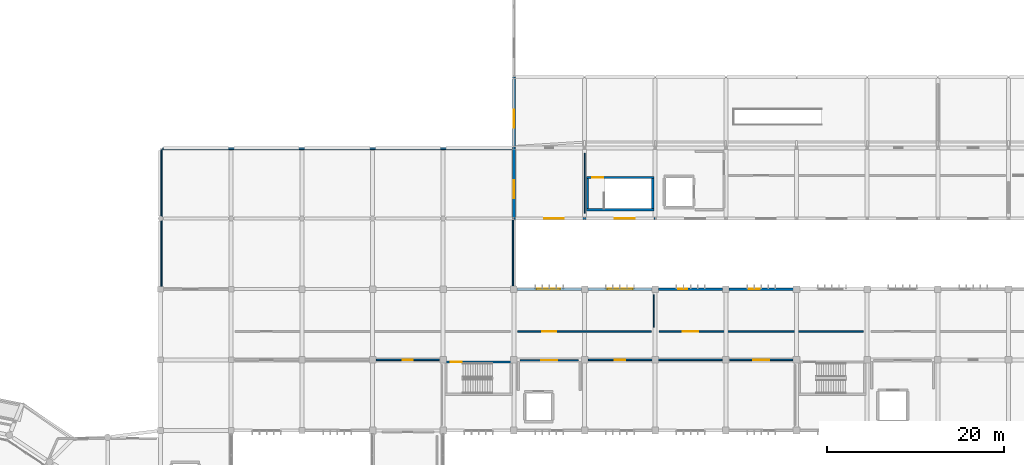
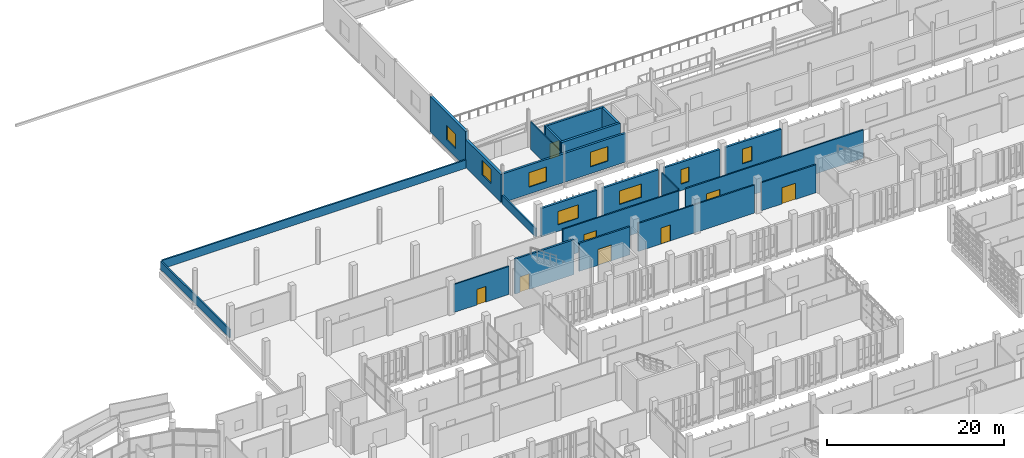
# One storey, part 84 of 106: 24 walls, 8 doors, 8 windows, 16 openings.
"""IFC4 building model written with IfcOpenShell, lengths in metres."""

from ifc_helpers import new_model, si_unit, direction, frame, frame_2d, origin, place, context, subcontext, project, spatial, rectangle, extrude, material, layer, layer_set, type_object, element, fill, save


model = new_model("IFC4")

# Units and contexts
model_context = context("Model", 3, precision=1e-05, world=origin(), true_north=direction((0.0, 1.0)))
body_context = subcontext(model_context, "Body", "Model", "MODEL_VIEW")
ifc_project = project(units=[si_unit("LENGTHUNIT", "METRE"), si_unit("AREAUNIT", "SQUARE_METRE"), si_unit("VOLUMEUNIT", "CUBIC_METRE"), si_unit("PLANEANGLEUNIT", "RADIAN"), si_unit("MASSUNIT", "GRAM", prefix="KILO")], contexts=[model_context])

# Site, building, storey
site_placement = place(None, origin())
site = spatial("IfcSite", under=ifc_project, at=site_placement, CompositionType="ELEMENT")
building_placement = place(site_placement, origin())
building = spatial("IfcBuilding", under=site, at=building_placement, Name="Jelvoka-Kovrelna Polytechnic", CompositionType="ELEMENT")
storey_placement = place(building_placement, frame((0.0, 0.0, 4.800048828125)))
storey = spatial("IfcBuildingStorey", under=building, at=storey_placement, Name="L02", CompositionType="ELEMENT", Elevation=4.800048828125)

# Wall, opening, door
ifc_material_1 = material(Name="Concrete C35/45", Category="concrete")
ifc_layer_1 = layer(ifc_material_1, 0.219970703125)
ifc_layer_set_1 = layer_set([ifc_layer_1], Name="Concrete C35/45")
wall_type_1 = type_object("IfcWallType", Name="Wall_Compartment_220", PredefinedType="PARTITIONING", material=ifc_layer_set_1)
wall_1_placement = place(storey_placement, frame((88.699951171875, 63.949951171875, 0.0), z_axis=(0.0, 0.0, 1.0), x_axis=(1.0, 0.0, 0.0)))
wall_1 = element("IfcWall", 1, at=wall_1_placement, inside=storey, type_object=wall_type_1, Name="L02 interior wall 0275", PredefinedType="PARTITIONING", context=body_context, shape_type="SweptSolid", body=[
    extrude(rectangle(XDim=6.60009765625, YDim=0.219970703125, at=frame_2d((3.300048828125, 0.0))), origin(), (0.0, 0.0, 1.0), 3.85986328125),
])
opening_1_placement = place(wall_1_placement, frame((2.39990234375, 0.0, 0.0)))
opening_1 = element("IfcOpeningElement", 2, at=opening_1_placement, cuts=wall_1, Name="Opening FD-L02-066", PredefinedType="OPENING", context=body_context, shape_type="SweptSolid", body=[
    extrude(rectangle(XDim=1.800048828125, YDim=2.199951171875, at=frame_2d((0.89990234375, 1.10009765625))), frame((0.0, 0.119873046875, 0.0), z_axis=(0.0, -1.0, 0.0), x_axis=(1.0, 0.0, 0.0)), (0.0, 0.0, 1.0), 0.239990234375),
])
ifc_material_2 = material(Name="Paired steel corridor fire door", Category="steel")
door_type_1 = type_object("IfcDoorType", Name="Door_Fire_FD03", OperationType="NOTDEFINED", PredefinedType="DOOR", material=ifc_material_2)
door_1_placement = place(opening_1_placement, origin())
door_1 = element("IfcDoor", 3, at=door_1_placement, inside=storey, type_object=door_type_1, Name="L02 interior door FD-L02-066", OperationType="DOUBLE_DOOR_SINGLE_SWING", OverallHeight=2.199951171875, OverallWidth=1.800048828125, PredefinedType="DOOR", context=body_context, shape_type="SweptSolid", body=[
    extrude(rectangle(XDim=1.800048828125, YDim=2.199951171875, at=frame_2d((0.89990234375, 1.10009765625))), frame((0.0, 0.02490234375, 0.0), z_axis=(0.0, -1.0, 0.0), x_axis=(1.0, 0.0, 0.0)), (0.0, 0.0, 1.0), 0.050048828125),
])
fill(opening_1, door_1)

ifc_material_3 = material(Name="Concrete C40/50", Category="concrete")
ifc_layer_2 = layer(ifc_material_3, 0.25)
ifc_layer_set_2 = layer_set([ifc_layer_2], Name="Concrete C40/50")
wall_type_2 = type_object("IfcWallType", Name="Wall_Core_250", PredefinedType="SOLIDWALL", material=ifc_layer_set_2)
wall_2_placement = place(storey_placement, frame((96.199951171875, 84.639892578125, 0.0), z_axis=(0.0, 0.0, 1.0), x_axis=(1.0, 0.0, 0.0)))
wall_2 = element("IfcWall", 4, at=wall_2_placement, inside=storey, type_object=wall_type_2, Name="L02 interior wall 0007", PredefinedType="SOLIDWALL", context=body_context, shape_type="SweptSolid", body=[
    extrude(rectangle(XDim=7.650146484375, YDim=0.25, at=frame_2d((3.8251953125, 0.0))), origin(), (0.0, 0.0, 1.0), 4.800048828125),
])
opening_2_placement = place(wall_2_placement, frame((0.64990234375, 0.0, 0.0)))
opening_2 = element("IfcOpeningElement", 5, at=opening_2_placement, cuts=wall_2, Name="Opening SD-L02-002", PredefinedType="OPENING", context=body_context, shape_type="SweptSolid", body=[
    extrude(rectangle(XDim=1.25, YDim=2.14990234375, at=frame_2d((0.625, 1.074951171875))), frame((0.0, 0.135009765625, 0.0), z_axis=(0.0, -1.0, 0.0), x_axis=(1.0, 0.0, 0.0)), (0.0, 0.0, 1.0), 0.27001953125),
])
ifc_material_4 = material(Name="Powder-coated steel fire door", Category="steel")
door_type_2 = type_object("IfcDoorType", Name="Door_Fire_FD02", OperationType="NOTDEFINED", PredefinedType="DOOR", material=ifc_material_4)
door_2_placement = place(opening_2_placement, origin())
door_2 = element("IfcDoor", 6, at=door_2_placement, inside=storey, type_object=door_type_2, Name="L02 interior door SD-L02-002", OperationType="SINGLE_SWING_LEFT", OverallHeight=2.14990234375, OverallWidth=1.25, PredefinedType="DOOR", context=body_context, shape_type="SweptSolid", body=[
    extrude(rectangle(XDim=1.25, YDim=2.14990234375, at=frame_2d((0.625, 1.074951171875))), frame((0.0, 0.02490234375, 0.0), z_axis=(0.0, -1.0, 0.0), x_axis=(1.0, 0.0, 0.0)), (0.0, 0.0, 1.0), 0.050048828125),
])
fill(opening_2, door_2)

# Wall
wall_3_placement = place(storey_placement, frame((96.324951171875, 81.14990234375, 0.0), z_axis=(0.0, 0.0, 1.0), x_axis=(0.0, 1.0, 0.0)))
element("IfcWall", 7, at=wall_3_placement, inside=storey, type_object=wall_type_2, Name="L02 interior wall 0008", PredefinedType="SOLIDWALL", context=body_context, shape_type="SweptSolid", body=[
    extrude(rectangle(XDim=3.360107421875, YDim=0.25, at=frame_2d((1.68017578125, 0.0))), origin(), (0.0, 0.0, 1.0), 4.800048828125),
])

# Wall, opening, door
wall_4_placement = place(storey_placement, frame((80.199951171875, 63.739990234375, 0.0), z_axis=(0.0, 0.0, 1.0), x_axis=(1.0, 0.0, 0.0)))
wall_4 = element("IfcWall", 8, at=wall_4_placement, inside=storey, type_object=wall_type_2, Name="L02 interior wall 0155", PredefinedType="SOLIDWALL", context=body_context, shape_type="SweptSolid", body=[
    extrude(rectangle(XDim=7.650146484375, YDim=0.25, at=frame_2d((3.8251953125, 0.0))), origin(), (0.0, 0.0, 1.0), 4.800048828125),
])
opening_3_placement = place(wall_4_placement, frame((0.64990234375, 0.0, 0.0)))
opening_3 = element("IfcOpeningElement", 9, at=opening_3_placement, cuts=wall_4, Name="Opening SD-L02-039", PredefinedType="OPENING", context=body_context, shape_type="SweptSolid", body=[
    extrude(rectangle(XDim=1.25, YDim=2.14990234375, at=frame_2d((0.625, 1.074951171875))), frame((0.0, 0.135009765625, 0.0), z_axis=(0.0, -1.0, 0.0), x_axis=(1.0, 0.0, 0.0)), (0.0, 0.0, 1.0), 0.27001953125),
])
door_3_placement = place(opening_3_placement, origin())
door_3 = element("IfcDoor", 10, at=door_3_placement, inside=storey, type_object=door_type_2, Name="L02 interior door SD-L02-039", OperationType="SINGLE_SWING_LEFT", OverallHeight=2.14990234375, OverallWidth=1.25, PredefinedType="DOOR", context=body_context, shape_type="SweptSolid", body=[
    extrude(rectangle(XDim=1.25, YDim=2.14990234375, at=frame_2d((0.625, 1.074951171875))), frame((0.0, 0.02490234375, 0.0), z_axis=(0.0, -1.0, 0.0), x_axis=(1.0, 0.0, 0.0)), (0.0, 0.0, 1.0), 0.050048828125),
])
fill(opening_3, door_3)

ifc_material_5 = material(Name="Autoclaved aerated concrete blockwork", Category="masonry")
ifc_layer_3 = layer(ifc_material_5, 0.179931640625)
ifc_layer_set_3 = layer_set([ifc_layer_3], Name="Autoclaved aerated concrete blockwork")
wall_type_3 = type_object("IfcWallType", Name="Wall_Corridor_180", PredefinedType="PARTITIONING", material=ifc_layer_set_3)
wall_5_placement = place(storey_placement, frame((72.429931640625, 64.0, 0.0), z_axis=(0.0, 0.0, 1.0), x_axis=(1.0, 0.0, 0.0)))
wall_5 = element("IfcWall", 11, at=wall_5_placement, inside=storey, type_object=wall_type_3, Name="L02 interior wall 0976", PredefinedType="PARTITIONING", context=body_context, shape_type="SweptSolid", body=[
    extrude(rectangle(XDim=7.14013671875, YDim=0.179931640625, at=frame_2d((3.570068359375, 0.0))), origin(), (0.0, 0.0, 1.0), 3.85986328125),
])
opening_4_placement = place(wall_5_placement, frame((3.0, 0.0, 0.0)))
opening_4 = element("IfcOpeningElement", 12, at=opening_4_placement, cuts=wall_5, Name="Opening D-L02-243", PredefinedType="OPENING", context=body_context, shape_type="SweptSolid", body=[
    extrude(rectangle(XDim=1.139892578125, YDim=2.14990234375, at=frame_2d((0.56982421875, 1.074951171875))), frame((0.0, 0.099853515625, 0.0), z_axis=(0.0, -1.0, 0.0), x_axis=(1.0, 0.0, 0.0)), (0.0, 0.0, 1.0), 0.199951171875),
])
ifc_material_6 = material(Name="Laboratory vision-panel door", Category="wood")
door_type_3 = type_object("IfcDoorType", Name="Door_Int_D11", OperationType="NOTDEFINED", PredefinedType="DOOR", material=ifc_material_6)
door_4_placement = place(opening_4_placement, origin())
door_4 = element("IfcDoor", 13, at=door_4_placement, inside=storey, type_object=door_type_3, Name="L02 interior door D-L02-243", OperationType="SINGLE_SWING_LEFT", OverallHeight=2.14990234375, OverallWidth=1.139892578125, PredefinedType="DOOR", context=body_context, shape_type="SweptSolid", body=[
    extrude(rectangle(XDim=1.139892578125, YDim=2.14990234375, at=frame_2d((0.56982421875, 1.074951171875))), frame((0.0, 0.02490234375, 0.0), z_axis=(0.0, -1.0, 0.0), x_axis=(1.0, 0.0, 0.0)), (0.0, 0.0, 1.0), 0.050048828125),
])
fill(opening_4, door_4)

wall_6_placement = place(storey_placement, frame((96.429931640625, 64.0, 0.0), z_axis=(0.0, 0.0, 1.0), x_axis=(1.0, 0.0, 0.0)))
wall_6 = element("IfcWall", 14, at=wall_6_placement, inside=storey, type_object=wall_type_3, Name="L02 interior wall 0978", PredefinedType="PARTITIONING", context=body_context, shape_type="SweptSolid", body=[
    extrude(rectangle(XDim=15.14013671875, YDim=0.179931640625, at=frame_2d((7.570068359375, 0.0))), origin(), (0.0, 0.0, 1.0), 3.85986328125),
])
opening_5_placement = place(wall_6_placement, frame((2.969970703125, 0.0, 0.0)))
opening_5 = element("IfcOpeningElement", 15, at=opening_5_placement, cuts=wall_6, Name="Opening D-L02-244", PredefinedType="OPENING", context=body_context, shape_type="SweptSolid", body=[
    extrude(rectangle(XDim=1.199951171875, YDim=2.199951171875, at=frame_2d((0.60009765625, 1.10009765625))), frame((0.0, 0.099853515625, 0.0), z_axis=(0.0, -1.0, 0.0), x_axis=(1.0, 0.0, 0.0)), (0.0, 0.0, 1.0), 0.199951171875),
])
ifc_material_7 = material(Name="Laboratory vision-panel door", Category="wood")
door_type_4 = type_object("IfcDoorType", Name="Door_Int_D13", OperationType="NOTDEFINED", PredefinedType="DOOR", material=ifc_material_7)
door_5_placement = place(opening_5_placement, origin())
door_5 = element("IfcDoor", 16, at=door_5_placement, inside=storey, type_object=door_type_4, Name="L02 interior door D-L02-244", OperationType="SINGLE_SWING_RIGHT", OverallHeight=2.199951171875, OverallWidth=1.199951171875, PredefinedType="DOOR", context=body_context, shape_type="SweptSolid", body=[
    extrude(rectangle(XDim=1.199951171875, YDim=2.199951171875, at=frame_2d((0.60009765625, 1.10009765625))), frame((0.0, 0.02490234375, 0.0), z_axis=(0.0, -1.0, 0.0), x_axis=(1.0, 0.0, 0.0)), (0.0, 0.0, 1.0), 0.050048828125),
])
fill(opening_5, door_5)

wall_7_placement = place(storey_placement, frame((112.429931640625, 64.0, 0.0), z_axis=(0.0, 0.0, 1.0), x_axis=(1.0, 0.0, 0.0)))
wall_7 = element("IfcWall", 17, at=wall_7_placement, inside=storey, type_object=wall_type_3, Name="L02 interior wall 0979", PredefinedType="PARTITIONING", context=body_context, shape_type="SweptSolid", body=[
    extrude(rectangle(XDim=7.14013671875, YDim=0.179931640625, at=frame_2d((3.570068359375, 0.0))), origin(), (0.0, 0.0, 1.0), 3.85986328125),
])
opening_6_placement = place(wall_7_placement, frame((2.659912109375, 0.0, 0.0)))
opening_6 = element("IfcOpeningElement", 18, at=opening_6_placement, cuts=wall_7, Name="Opening D-L02-245", PredefinedType="OPENING", context=body_context, shape_type="SweptSolid", body=[
    extrude(rectangle(XDim=1.820068359375, YDim=2.25, at=frame_2d((0.91015625, 1.125))), frame((0.0, 0.099853515625, 0.0), z_axis=(0.0, -1.0, 0.0), x_axis=(1.0, 0.0, 0.0)), (0.0, 0.0, 1.0), 0.199951171875),
])
ifc_material_8 = material(Name="Paired hardwood fire-resisting assembly door", Category="wood")
door_type_5 = type_object("IfcDoorType", Name="Door_Fire_FD30_10", OperationType="NOTDEFINED", PredefinedType="DOOR", material=ifc_material_8)
door_6_placement = place(opening_6_placement, origin())
door_6 = element("IfcDoor", 19, at=door_6_placement, inside=storey, type_object=door_type_5, Name="L02 interior door D-L02-245", OperationType="DOUBLE_DOOR_SINGLE_SWING", OverallHeight=2.25, OverallWidth=1.820068359375, PredefinedType="DOOR", context=body_context, shape_type="SweptSolid", body=[
    extrude(rectangle(XDim=1.820068359375, YDim=2.25, at=frame_2d((0.91015625, 1.125))), frame((0.0, 0.02490234375, 0.0), z_axis=(0.0, -1.0, 0.0), x_axis=(1.0, 0.0, 0.0)), (0.0, 0.0, 1.0), 0.050048828125),
])
fill(opening_6, door_6)

wall_8_placement = place(storey_placement, frame((88.429931640625, 67.199951171875, 0.0), z_axis=(0.0, 0.0, 1.0), x_axis=(1.0, 0.0, 0.0)))
wall_8 = element("IfcWall", 20, at=wall_8_placement, inside=storey, type_object=wall_type_3, Name="L02 interior wall 0984", PredefinedType="PARTITIONING", context=body_context, shape_type="SweptSolid", body=[
    extrude(rectangle(XDim=15.14013671875, YDim=0.179931640625, at=frame_2d((7.570068359375, 0.0))), origin(), (0.0, 0.0, 1.0), 3.89990234375),
])
opening_7_placement = place(wall_8_placement, frame((2.760009765625, 0.0, 0.0)))
opening_7 = element("IfcOpeningElement", 21, at=opening_7_placement, cuts=wall_8, Name="Opening D-L02-249", PredefinedType="OPENING", context=body_context, shape_type="SweptSolid", body=[
    extrude(rectangle(XDim=1.6201171875, YDim=2.199951171875, at=frame_2d((0.81005859375, 1.10009765625))), frame((0.0, 0.099853515625, 0.0), z_axis=(0.0, -1.0, 0.0), x_axis=(1.0, 0.0, 0.0)), (0.0, 0.0, 1.0), 0.199951171875),
])
ifc_material_9 = material(Name="Paired library reading hall door", Category="wood")
door_type_6 = type_object("IfcDoorType", Name="Door_Int_D19", OperationType="NOTDEFINED", PredefinedType="DOOR", material=ifc_material_9)
door_7_placement = place(opening_7_placement, origin())
door_7 = element("IfcDoor", 22, at=door_7_placement, inside=storey, type_object=door_type_6, Name="L02 interior door D-L02-249", OperationType="DOUBLE_DOOR_SINGLE_SWING", OverallHeight=2.199951171875, OverallWidth=1.6201171875, PredefinedType="DOOR", context=body_context, shape_type="SweptSolid", body=[
    extrude(rectangle(XDim=1.6201171875, YDim=2.199951171875, at=frame_2d((0.81005859375, 1.10009765625))), frame((0.0, 0.02490234375, 0.0), z_axis=(0.0, -1.0, 0.0), x_axis=(1.0, 0.0, 0.0)), (0.0, 0.0, 1.0), 0.050048828125),
])
fill(opening_7, door_7)

wall_9_placement = place(storey_placement, frame((104.429931640625, 67.199951171875, 0.0), z_axis=(0.0, 0.0, 1.0), x_axis=(1.0, 0.0, 0.0)))
wall_9 = element("IfcWall", 23, at=wall_9_placement, inside=storey, type_object=wall_type_3, Name="L02 interior wall 0986", PredefinedType="PARTITIONING", context=body_context, shape_type="SweptSolid", body=[
    extrude(rectangle(XDim=23.14013671875, YDim=0.179931640625, at=frame_2d((11.570068359375, 0.0))), origin(), (0.0, 0.0, 1.0), 3.89990234375),
])
opening_8_placement = place(wall_9_placement, frame((2.68994140625, 0.0, 0.0)))
opening_8 = element("IfcOpeningElement", 24, at=opening_8_placement, cuts=wall_9, Name="Opening D-L02-250", PredefinedType="OPENING", context=body_context, shape_type="SweptSolid", body=[
    extrude(rectangle(XDim=1.760009765625, YDim=2.25, at=frame_2d((0.8798828125, 1.125))), frame((0.0, 0.099853515625, 0.0), z_axis=(0.0, -1.0, 0.0), x_axis=(1.0, 0.0, 0.0)), (0.0, 0.0, 1.0), 0.199951171875),
])
ifc_material_10 = material(Name="Paired refectory hall double door", Category="wood")
door_type_7 = type_object("IfcDoorType", Name="Door_Int_D21", OperationType="NOTDEFINED", PredefinedType="DOOR", material=ifc_material_10)
door_8_placement = place(opening_8_placement, origin())
door_8 = element("IfcDoor", 25, at=door_8_placement, inside=storey, type_object=door_type_7, Name="L02 interior door D-L02-250", OperationType="DOUBLE_DOOR_SINGLE_SWING", OverallHeight=2.25, OverallWidth=1.760009765625, PredefinedType="DOOR", context=body_context, shape_type="SweptSolid", body=[
    extrude(rectangle(XDim=1.760009765625, YDim=2.25, at=frame_2d((0.8798828125, 1.125))), frame((0.0, 0.02490234375, 0.0), z_axis=(0.0, -1.0, 0.0), x_axis=(1.0, 0.0, 0.0)), (0.0, 0.0, 1.0), 0.050048828125),
])
fill(opening_8, door_8)

# Wall, opening, window
ifc_material_11 = material(Name="Precast concrete C40/50", Category="concrete")
ifc_layer_4 = layer(ifc_material_11, 0.280029296875)
ifc_layer_set_4 = layer_set([ifc_layer_4], Name="Precast concrete C40/50")
wall_type_4 = type_object("IfcWallType", Name="Wall_Ext_White_280", PredefinedType="STANDARD", material=ifc_layer_set_4)
wall_10_placement = place(storey_placement, frame((88.3720703125, 72.0, 0.0), z_axis=(0.0, 0.0, 1.0), x_axis=(1.0, 0.0, 0.0)))
wall_10 = element("IfcWall", 26, at=wall_10_placement, inside=storey, type_object=wall_type_4, Name="L02 exterior wall 0611", PredefinedType="STANDARD", context=body_context, shape_type="SweptSolid", body=[
    extrude(rectangle(XDim=7.255859375, YDim=0.280029296875, at=frame_2d((3.6279296875, 0.0))), origin(), (0.0, 0.0, 1.0), 3.909912109375),
])
opening_9_placement = place(wall_10_placement, frame((2.2080078125, 0.0, 0.89990234375)))
opening_9 = element("IfcOpeningElement", 27, at=opening_9_placement, cuts=wall_10, Name="Opening W-L02-285", PredefinedType="OPENING", context=body_context, shape_type="SweptSolid", body=[
    extrude(rectangle(XDim=2.64990234375, YDim=1.85009765625, at=frame_2d((1.324951171875, 0.925048828125))), frame((0.0, 0.150146484375, 0.0), z_axis=(0.0, -1.0, 0.0), x_axis=(1.0, 0.0, 0.0)), (0.0, 0.0, 1.0), 0.300048828125),
])
ifc_material_12 = material(Name="Thermally broken anodised aluminium and low-e glazing", Category="aluminium")
window_type_1 = type_object("IfcWindowType", Name="Win_Casement_W49", PartitioningType="DOUBLE_PANEL_VERTICAL", PredefinedType="WINDOW", material=ifc_material_12)
window_1_placement = place(opening_9_placement, origin())
window_1 = element("IfcWindow", 28, at=window_1_placement, inside=storey, type_object=window_type_1, Name="L02 aluminium casement window W-L02-285", OverallHeight=1.85009765625, OverallWidth=2.64990234375, PartitioningType="DOUBLE_PANEL_VERTICAL", PredefinedType="WINDOW", context=body_context, shape_type="SweptSolid", body=[
    extrude(rectangle(XDim=2.64990234375, YDim=1.85009765625, at=frame_2d((1.324951171875, 0.925048828125))), frame((0.0, 0.030029296875, 0.0), z_axis=(0.0, -1.0, 0.0), x_axis=(1.0, 0.0, 0.0)), (0.0, 0.0, 1.0), 0.06005859375),
])
fill(opening_9, window_1)

wall_11_placement = place(storey_placement, frame((96.3720703125, 72.0, 0.0), z_axis=(0.0, 0.0, 1.0), x_axis=(1.0, 0.0, 0.0)))
wall_11 = element("IfcWall", 29, at=wall_11_placement, inside=storey, type_object=wall_type_4, Name="L02 exterior wall 0613", PredefinedType="STANDARD", context=body_context, shape_type="SweptSolid", body=[
    extrude(rectangle(XDim=7.255859375, YDim=0.280029296875, at=frame_2d((3.6279296875, 0.0))), origin(), (0.0, 0.0, 1.0), 3.909912109375),
])
opening_10_placement = place(wall_11_placement, frame((2.2080078125, 0.0, 0.89990234375)))
opening_10 = element("IfcOpeningElement", 30, at=opening_10_placement, cuts=wall_11, Name="Opening W-L02-287", PredefinedType="OPENING", context=body_context, shape_type="SweptSolid", body=[
    extrude(rectangle(XDim=2.85009765625, YDim=1.85009765625, at=frame_2d((1.425048828125, 0.925048828125))), frame((0.0, 0.150146484375, 0.0), z_axis=(0.0, -1.0, 0.0), x_axis=(1.0, 0.0, 0.0)), (0.0, 0.0, 1.0), 0.300048828125),
])
ifc_material_13 = material(Name="Thermally broken anodised aluminium and low-e glazing", Category="aluminium")
window_type_2 = type_object("IfcWindowType", Name="Win_Casement_W50", PartitioningType="DOUBLE_PANEL_VERTICAL", PredefinedType="WINDOW", material=ifc_material_13)
window_2_placement = place(opening_10_placement, origin())
window_2 = element("IfcWindow", 31, at=window_2_placement, inside=storey, type_object=window_type_2, Name="L02 aluminium casement window W-L02-287", OverallHeight=1.85009765625, OverallWidth=2.85009765625, PartitioningType="DOUBLE_PANEL_VERTICAL", PredefinedType="WINDOW", context=body_context, shape_type="SweptSolid", body=[
    extrude(rectangle(XDim=2.85009765625, YDim=1.85009765625, at=frame_2d((1.425048828125, 0.925048828125))), frame((0.0, 0.030029296875, 0.0), z_axis=(0.0, -1.0, 0.0), x_axis=(1.0, 0.0, 0.0)), (0.0, 0.0, 1.0), 0.06005859375),
])
fill(opening_10, window_2)

wall_12_placement = place(storey_placement, frame((104.3720703125, 72.0, 0.0), z_axis=(0.0, 0.0, 1.0), x_axis=(1.0, 0.0, 0.0)))
wall_12 = element("IfcWall", 32, at=wall_12_placement, inside=storey, type_object=wall_type_4, Name="L02 exterior wall 0615", PredefinedType="STANDARD", context=body_context, shape_type="SweptSolid", body=[
    extrude(rectangle(XDim=7.255859375, YDim=0.280029296875, at=frame_2d((3.6279296875, 0.0))), origin(), (0.0, 0.0, 1.0), 3.909912109375),
])
opening_11_placement = place(wall_12_placement, frame((2.2080078125, 0.0, 0.89990234375)))
opening_11 = element("IfcOpeningElement", 33, at=opening_11_placement, cuts=wall_12, Name="Opening W-L02-289", PredefinedType="OPENING", context=body_context, shape_type="SweptSolid", body=[
    extrude(rectangle(XDim=1.050048828125, YDim=2.0, at=frame_2d((0.52490234375, 1.0))), frame((0.0, 0.150146484375, 0.0), z_axis=(0.0, -1.0, 0.0), x_axis=(1.0, 0.0, 0.0)), (0.0, 0.0, 1.0), 0.300048828125),
])
ifc_material_14 = material(Name="Thermally broken anodised aluminium and low-e glazing", Category="aluminium")
window_type_3 = type_object("IfcWindowType", Name="Win_Casement_W51", PartitioningType="SINGLE_PANEL", PredefinedType="WINDOW", material=ifc_material_14)
window_3_placement = place(opening_11_placement, origin())
window_3 = element("IfcWindow", 34, at=window_3_placement, inside=storey, type_object=window_type_3, Name="L02 aluminium casement window W-L02-289", OverallHeight=2.0, OverallWidth=1.050048828125, PartitioningType="SINGLE_PANEL", PredefinedType="WINDOW", context=body_context, shape_type="SweptSolid", body=[
    extrude(rectangle(XDim=1.050048828125, YDim=2.0, at=frame_2d((0.52490234375, 1.0))), frame((0.0, 0.030029296875, 0.0), z_axis=(0.0, -1.0, 0.0), x_axis=(1.0, 0.0, 0.0)), (0.0, 0.0, 1.0), 0.06005859375),
])
fill(opening_11, window_3)

wall_13_placement = place(storey_placement, frame((112.3720703125, 72.0, 0.0), z_axis=(0.0, 0.0, 1.0), x_axis=(1.0, 0.0, 0.0)))
wall_13 = element("IfcWall", 35, at=wall_13_placement, inside=storey, type_object=wall_type_4, Name="L02 exterior wall 0617", PredefinedType="STANDARD", context=body_context, shape_type="SweptSolid", body=[
    extrude(rectangle(XDim=7.255859375, YDim=0.280029296875, at=frame_2d((3.6279296875, 0.0))), origin(), (0.0, 0.0, 1.0), 3.909912109375),
])
opening_12_placement = place(wall_13_placement, frame((2.2080078125, 0.0, 0.89990234375)))
opening_12 = element("IfcOpeningElement", 36, at=opening_12_placement, cuts=wall_13, Name="Opening W-L02-291", PredefinedType="OPENING", context=body_context, shape_type="SweptSolid", body=[
    extrude(rectangle(XDim=1.25, YDim=2.0, at=frame_2d((0.625, 1.0))), frame((0.0, 0.150146484375, 0.0), z_axis=(0.0, -1.0, 0.0), x_axis=(1.0, 0.0, 0.0)), (0.0, 0.0, 1.0), 0.300048828125),
])
ifc_material_15 = material(Name="Thermally broken anodised aluminium and low-e glazing", Category="aluminium")
window_type_4 = type_object("IfcWindowType", Name="Win_Casement_W52", PartitioningType="SINGLE_PANEL", PredefinedType="WINDOW", material=ifc_material_15)
window_4_placement = place(opening_12_placement, origin())
window_4 = element("IfcWindow", 37, at=window_4_placement, inside=storey, type_object=window_type_4, Name="L02 aluminium casement window W-L02-291", OverallHeight=2.0, OverallWidth=1.25, PartitioningType="SINGLE_PANEL", PredefinedType="WINDOW", context=body_context, shape_type="SweptSolid", body=[
    extrude(rectangle(XDim=1.25, YDim=2.0, at=frame_2d((0.625, 1.0))), frame((0.0, 0.030029296875, 0.0), z_axis=(0.0, -1.0, 0.0), x_axis=(1.0, 0.0, 0.0)), (0.0, 0.0, 1.0), 0.06005859375),
])
fill(opening_12, window_4)

wall_14_placement = place(storey_placement, frame((95.99609375, 80.0, 0.0), z_axis=(0.0, 0.0, 1.0), x_axis=(-1.0, 0.0, 0.0)))
wall_14 = element("IfcWall", 38, at=wall_14_placement, inside=storey, type_object=wall_type_4, Name="L02 exterior wall 0924", PredefinedType="STANDARD", context=body_context, shape_type="SweptSolid", body=[
    extrude(rectangle(XDim=7.9921875, YDim=0.280029296875, at=frame_2d((3.99609375, 0.0))), origin(), (0.0, 0.0, 1.0), 3.96484375),
])
opening_13_placement = place(wall_14_placement, frame((2.3359375, 0.0, 0.949951171875)))
opening_13 = element("IfcOpeningElement", 39, at=opening_13_placement, cuts=wall_14, Name="Opening W-L02-525", PredefinedType="OPENING", context=body_context, shape_type="SweptSolid", body=[
    extrude(rectangle(XDim=2.25, YDim=2.0, at=frame_2d((1.125, 1.0))), frame((0.0, 0.150146484375, 0.0), z_axis=(0.0, -1.0, 0.0), x_axis=(1.0, 0.0, 0.0)), (0.0, 0.0, 1.0), 0.300048828125),
])
ifc_material_16 = material(Name="Thermally broken anodised aluminium and low-e glazing", Category="aluminium")
window_type_5 = type_object("IfcWindowType", Name="Win_Casement_W57", PartitioningType="DOUBLE_PANEL_VERTICAL", PredefinedType="WINDOW", material=ifc_material_16)
window_5_placement = place(opening_13_placement, origin())
window_5 = element("IfcWindow", 40, at=window_5_placement, inside=storey, type_object=window_type_5, Name="L02 aluminium casement window W-L02-525", OverallHeight=2.0, OverallWidth=2.25, PartitioningType="DOUBLE_PANEL_VERTICAL", PredefinedType="WINDOW", context=body_context, shape_type="SweptSolid", body=[
    extrude(rectangle(XDim=2.25, YDim=2.0, at=frame_2d((1.125, 1.0))), frame((0.0, 0.030029296875, 0.0), z_axis=(0.0, -1.0, 0.0), x_axis=(1.0, 0.0, 0.0)), (0.0, 0.0, 1.0), 0.06005859375),
])
fill(opening_13, window_5)

wall_15_placement = place(storey_placement, frame((103.99609375, 80.0, 0.0), z_axis=(0.0, 0.0, 1.0), x_axis=(-1.0, 0.0, 0.0)))
wall_15 = element("IfcWall", 41, at=wall_15_placement, inside=storey, type_object=wall_type_4, Name="L02 exterior wall 0925", PredefinedType="STANDARD", context=body_context, shape_type="SweptSolid", body=[
    extrude(rectangle(XDim=7.9921875, YDim=0.280029296875, at=frame_2d((3.99609375, 0.0))), origin(), (0.0, 0.0, 1.0), 3.96484375),
])
opening_14_placement = place(wall_15_placement, frame((2.3359375, 0.0, 0.949951171875)))
opening_14 = element("IfcOpeningElement", 42, at=opening_14_placement, cuts=wall_15, Name="Opening W-L02-526", PredefinedType="OPENING", context=body_context, shape_type="SweptSolid", body=[
    extrude(rectangle(XDim=2.25, YDim=2.0, at=frame_2d((1.125, 1.0))), frame((0.0, 0.150146484375, 0.0), z_axis=(0.0, -1.0, 0.0), x_axis=(1.0, 0.0, 0.0)), (0.0, 0.0, 1.0), 0.300048828125),
])
window_6_placement = place(opening_14_placement, origin())
window_6 = element("IfcWindow", 43, at=window_6_placement, inside=storey, type_object=window_type_5, Name="L02 aluminium casement window W-L02-526", OverallHeight=2.0, OverallWidth=2.25, PartitioningType="DOUBLE_PANEL_VERTICAL", PredefinedType="WINDOW", context=body_context, shape_type="SweptSolid", body=[
    extrude(rectangle(XDim=2.25, YDim=2.0, at=frame_2d((1.125, 1.0))), frame((0.0, 0.030029296875, 0.0), z_axis=(0.0, -1.0, 0.0), x_axis=(1.0, 0.0, 0.0)), (0.0, 0.0, 1.0), 0.06005859375),
])
fill(opening_14, window_6)

ifc_material_17 = material(Name="Precast concrete C40/50", Category="concrete")
ifc_layer_5 = layer(ifc_material_17, 0.340087890625)
ifc_layer_set_5 = layer_set([ifc_layer_5], Name="Precast concrete C40/50")
wall_type_5 = type_object("IfcWallType", Name="Wall_Ext_Workshop_340", PredefinedType="STANDARD", material=ifc_layer_set_5)
wall_16_placement = place(storey_placement, frame((88.0, 80.00390625, 0.0), z_axis=(0.0, 0.0, 1.0), x_axis=(0.0, 1.0, 0.0)))
wall_16 = element("IfcWall", 44, at=wall_16_placement, inside=storey, type_object=wall_type_5, Name="L02 exterior wall 0919", PredefinedType="STANDARD", context=body_context, shape_type="SweptSolid", body=[
    extrude(rectangle(XDim=7.9921875, YDim=0.340087890625, at=frame_2d((3.99609375, 0.0))), origin(), (0.0, 0.0, 1.0), 3.81494140625),
])
opening_15_placement = place(wall_16_placement, frame((2.27587890625, 0.0, 1.199951171875)))
opening_15 = element("IfcOpeningElement", 45, at=opening_15_placement, cuts=wall_16, Name="Opening W-L02-520", PredefinedType="OPENING", context=body_context, shape_type="SweptSolid", body=[
    extrude(rectangle(XDim=2.050048828125, YDim=2.0, at=frame_2d((1.02490234375, 1.0))), frame((0.0, 0.179931640625, 0.0), z_axis=(0.0, -1.0, 0.0), x_axis=(1.0, 0.0, 0.0)), (0.0, 0.0, 1.0), 0.360107421875),
])
ifc_material_18 = material(Name="Thermally broken anodised aluminium and low-e glazing", Category="aluminium")
window_type_6 = type_object("IfcWindowType", Name="Win_Casement_W56", PartitioningType="DOUBLE_PANEL_VERTICAL", PredefinedType="WINDOW", material=ifc_material_18)
window_7_placement = place(opening_15_placement, origin())
window_7 = element("IfcWindow", 46, at=window_7_placement, inside=storey, type_object=window_type_6, Name="L02 aluminium casement window W-L02-520", OverallHeight=2.0, OverallWidth=2.050048828125, PartitioningType="DOUBLE_PANEL_VERTICAL", PredefinedType="WINDOW", context=body_context, shape_type="SweptSolid", body=[
    extrude(rectangle(XDim=2.050048828125, YDim=2.0, at=frame_2d((1.02490234375, 1.0))), frame((0.0, 0.030029296875, 0.0), z_axis=(0.0, -1.0, 0.0), x_axis=(1.0, 0.0, 0.0)), (0.0, 0.0, 1.0), 0.06005859375),
])
fill(opening_15, window_7)

wall_17_placement = place(storey_placement, frame((88.0, 88.00390625, 0.0), z_axis=(0.0, 0.0, 1.0), x_axis=(0.0, 1.0, 0.0)))
wall_17 = element("IfcWall", 47, at=wall_17_placement, inside=storey, type_object=wall_type_5, Name="L02 exterior wall 0920", PredefinedType="STANDARD", context=body_context, shape_type="SweptSolid", body=[
    extrude(rectangle(XDim=7.9921875, YDim=0.340087890625, at=frame_2d((3.99609375, 0.0))), origin(), (0.0, 0.0, 1.0), 4.919921875),
])
opening_16_placement = place(wall_17_placement, frame((2.27587890625, 0.0, 1.199951171875)))
opening_16 = element("IfcOpeningElement", 48, at=opening_16_placement, cuts=wall_17, Name="Opening W-L02-521", PredefinedType="OPENING", context=body_context, shape_type="SweptSolid", body=[
    extrude(rectangle(XDim=2.050048828125, YDim=2.0, at=frame_2d((1.02490234375, 1.0))), frame((0.0, 0.179931640625, 0.0), z_axis=(0.0, -1.0, 0.0), x_axis=(1.0, 0.0, 0.0)), (0.0, 0.0, 1.0), 0.360107421875),
])
window_8_placement = place(opening_16_placement, origin())
window_8 = element("IfcWindow", 49, at=window_8_placement, inside=storey, type_object=window_type_6, Name="L02 aluminium casement window W-L02-521", OverallHeight=2.0, OverallWidth=2.050048828125, PartitioningType="DOUBLE_PANEL_VERTICAL", PredefinedType="WINDOW", context=body_context, shape_type="SweptSolid", body=[
    extrude(rectangle(XDim=2.050048828125, YDim=2.0, at=frame_2d((1.02490234375, 1.0))), frame((0.0, 0.030029296875, 0.0), z_axis=(0.0, -1.0, 0.0), x_axis=(1.0, 0.0, 0.0)), (0.0, 0.0, 1.0), 0.06005859375),
])
fill(opening_16, window_8)

# Walls
ifc_material_19 = material(Name="Precast concrete C40/50", Category="concrete")
ifc_layer_6 = layer(ifc_material_19, 0.199951171875)
ifc_layer_set_6 = layer_set([ifc_layer_6], Name="Precast concrete C40/50")
wall_type_6 = type_object("IfcWallType", Name="Wall_Parapet_200", PredefinedType="PARAPET", material=ifc_layer_set_6)
wall_18_placement = place(storey_placement, frame((87.780029296875, 87.89990234375, 0.0), z_axis=(0.0, 0.0, 1.0), x_axis=(-1.0, 0.0, 0.0)))
element("IfcWall", 50, at=wall_18_placement, inside=storey, type_object=wall_type_6, Name="L02 exterior wall 1186", PredefinedType="PARAPET", context=body_context, shape_type="SweptSolid", body=[
    extrude(rectangle(XDim=39.56005859375, YDim=0.199951171875, at=frame_2d((19.780029296875, 0.0))), origin(), (0.0, 0.0, 1.0), 1.14990234375),
])
wall_19_placement = place(storey_placement, frame((48.10009765625, 87.780029296875, 0.0), z_axis=(0.0, 0.0, 1.0), x_axis=(0.0, -1.0, 0.0)))
element("IfcWall", 51, at=wall_19_placement, inside=storey, type_object=wall_type_6, Name="L02 exterior wall 1187", PredefinedType="PARAPET", context=body_context, shape_type="SweptSolid", body=[
    extrude(rectangle(XDim=15.56005859375, YDim=0.199951171875, at=frame_2d((7.780029296875, 0.0))), origin(), (0.0, 0.0, 1.0), 1.14990234375),
])
wall_20_placement = place(storey_placement, frame((87.89990234375, 72.219970703125, 0.0), z_axis=(0.0, 0.0, 1.0), x_axis=(0.0, 1.0, 0.0)))
element("IfcWall", 52, at=wall_20_placement, inside=storey, type_object=wall_type_6, Name="L02 exterior wall 1188", PredefinedType="PARAPET", context=body_context, shape_type="SweptSolid", body=[
    extrude(rectangle(XDim=7.56005859375, YDim=0.199951171875, at=frame_2d((3.780029296875, 0.0))), origin(), (0.0, 0.0, 1.0), 1.14990234375),
])
ifc_material_20 = material(Name="Acoustic gypsum stud partition")
ifc_layer_7 = layer(ifc_material_20, 0.125)
ifc_layer_set_7 = layer_set([ifc_layer_7], Name="Acoustic gypsum stud partition")
wall_type_7 = type_object("IfcWallType", Name="Wall_Partition_125", PredefinedType="PARTITIONING", material=ifc_layer_set_7)
wall_21_placement = place(storey_placement, frame((103.820068359375, 67.669921875, 0.0), z_axis=(0.0, 0.0, 1.0), x_axis=(0.0, 1.0, 0.0)))
element("IfcWall", 53, at=wall_21_placement, inside=storey, type_object=wall_type_7, Name="L02 interior wall 0985", PredefinedType="PARTITIONING", context=body_context, shape_type="SweptSolid", body=[
    extrude(rectangle(XDim=3.7099609375, YDim=0.125, at=frame_2d((1.85498046875, 0.0))), origin(), (0.0, 0.0, 1.0), 3.760009765625),
])
wall_22_placement = place(storey_placement, frame((96.0, 80.6201171875, 0.0), z_axis=(0.0, 0.0, 1.0), x_axis=(0.0, 1.0, 0.0)))
element("IfcWall", 54, at=wall_22_placement, inside=storey, type_object=wall_type_7, Name="L02 interior wall 1005", PredefinedType="PARTITIONING", context=body_context, shape_type="SweptSolid", body=[
    extrude(rectangle(XDim=6.759765625, YDim=0.125, at=frame_2d((3.3798828125, 0.0))), origin(), (0.0, 0.0, 1.0), 3.81494140625),
])
ifc_material_21 = material(Name="Concrete C40/50", Category="concrete")
ifc_layer_8 = layer(ifc_material_21, 0.300048828125)
ifc_layer_set_8 = layer_set([ifc_layer_8], Name="Concrete C40/50")
wall_type_8 = type_object("IfcWallType", Name="Wall_Shear_300", PredefinedType="SHEAR", material=ifc_layer_set_8)
wall_23_placement = place(storey_placement, frame((96.199951171875, 80.989990234375, 0.0), z_axis=(0.0, 0.0, 1.0), x_axis=(1.0, 0.0, 0.0)))
element("IfcWall", 55, at=wall_23_placement, inside=storey, type_object=wall_type_8, Name="L02 interior wall 0005", PredefinedType="SHEAR", context=body_context, shape_type="SweptSolid", body=[
    extrude(rectangle(XDim=7.650146484375, YDim=0.300048828125, at=frame_2d((3.8251953125, 0.0))), origin(), (0.0, 0.0, 1.0), 4.800048828125),
])
wall_24_placement = place(storey_placement, frame((103.7099609375, 81.14990234375, 0.0), z_axis=(0.0, 0.0, 1.0), x_axis=(0.0, 1.0, 0.0)))
element("IfcWall", 56, at=wall_24_placement, inside=storey, type_object=wall_type_8, Name="L02 interior wall 0006", PredefinedType="SHEAR", context=body_context, shape_type="SweptSolid", body=[
    extrude(rectangle(XDim=3.360107421875, YDim=0.300048828125, at=frame_2d((1.68017578125, 0.0))), origin(), (0.0, 0.0, 1.0), 4.800048828125),
])

save(model, "model.ifc")
